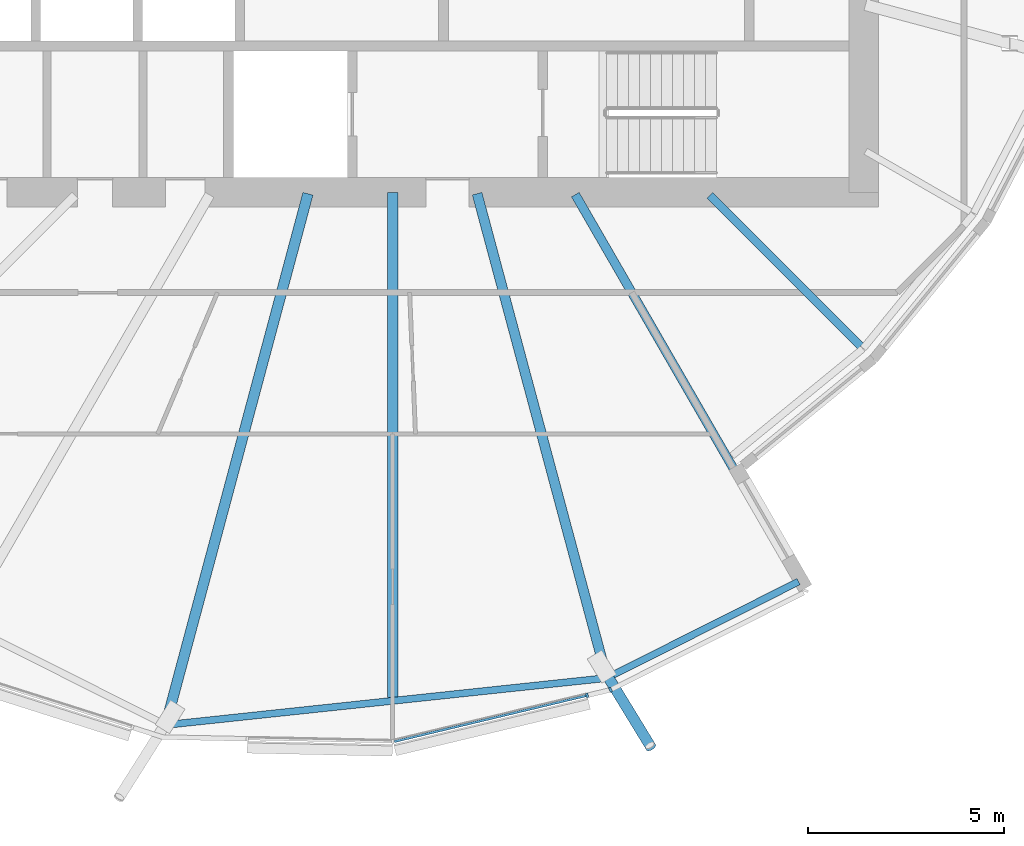
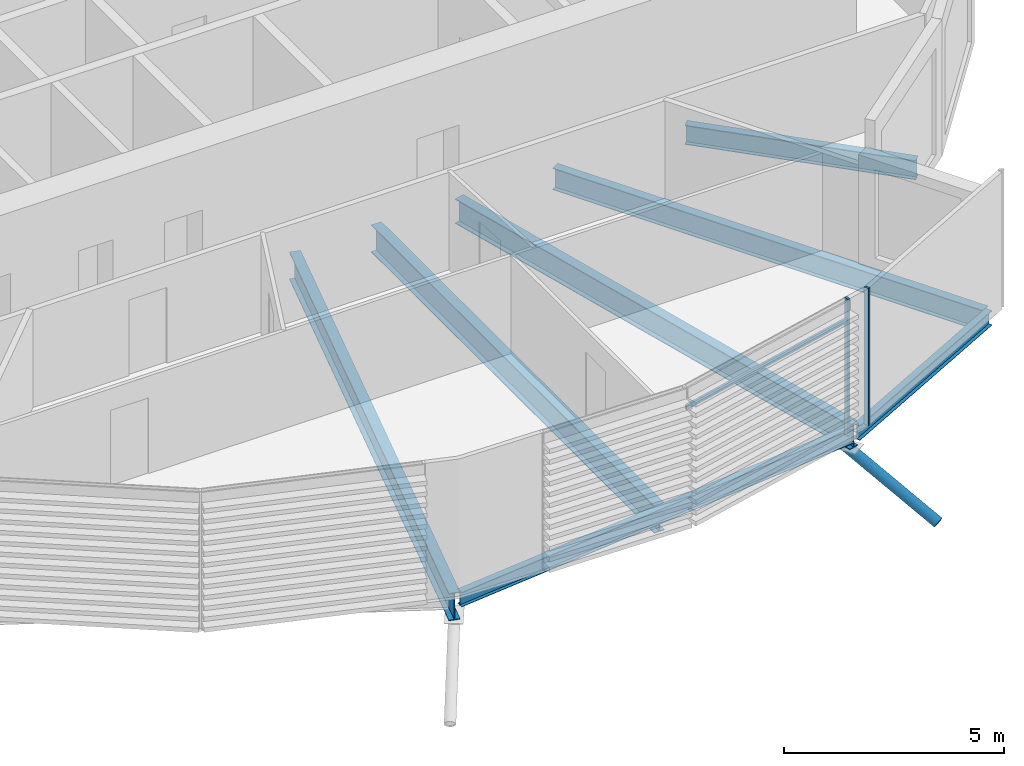
# One storey, part 13 of 38: 7 beams, 4 members, 1 element without a shape of its own.
"""IFC4 building model written with IfcOpenShell, lengths in metres."""

from ifc_helpers import new_model, si_unit, direction, frame, origin, origin_2d, place, context, subcontext, project, spatial, rectangle, hollow_circle, i_section, extrude, clip, halfspace, material, material_profile, profile_set, type_object, element, aggregate, save


model = new_model("IFC4")

# Units and contexts
model_context = context("Model", 3, precision=1e-05, world=origin(), true_north=direction((0.0, 1.0)))
body_context = subcontext(model_context, "Body", "Model", "MODEL_VIEW")
ifc_project = project(units=[si_unit("LENGTHUNIT", "METRE"), si_unit("AREAUNIT", "SQUARE_METRE"), si_unit("VOLUMEUNIT", "CUBIC_METRE"), si_unit("PLANEANGLEUNIT", "RADIAN"), si_unit("MASSUNIT", "GRAM", prefix="KILO")], contexts=[model_context])

# Site, building, storey
site_placement = place(None, origin())
site = spatial("IfcSite", under=ifc_project, at=site_placement, CompositionType="ELEMENT")
building_placement = place(site_placement, origin())
building = spatial("IfcBuilding", under=site, at=building_placement, Name="Rimbun Link Towers", CompositionType="ELEMENT")
storey_placement = place(building_placement, frame((0.0, 0.0, 108.199951171875)))
storey = spatial("IfcBuildingStorey", under=building, at=storey_placement, Name="L26", CompositionType="ELEMENT", Elevation=108.199951171875)

# Curtain wall, members
ifc_material_1 = material(Name="Aluminium 6063-T6 and low-iron glass", Category="aluminium")
curtain_wall_type = type_object("IfcCurtainWallType", Name="CW1-Z2 unitised vision wall (zone 2)", PredefinedType="NOTDEFINED", material=ifc_material_1)
curtain_wall_placement = place(storey_placement, origin())
curtain_wall = element("IfcCurtainWall", 1, at=curtain_wall_placement, inside=storey, type_object=curtain_wall_type, Name="CW1 L26 T2", PredefinedType="NOTDEFINED")
ifc_material_2 = material(Name="Aluminium 6063-T6", Category="aluminium")
ifc_material_profile_1 = material_profile(ifc_material_2, rectangle(XDim=0.1201171875, YDim=0.06005859375, at=origin_2d()), Name="MULLION 60X120")
ifc_profile_set_1 = profile_set([ifc_material_profile_1], Name="Aluminium 6063-T6")
member_type_1 = type_object("IfcMemberType", Name="CW1 mullion 60X120", PredefinedType="MULLION", material=ifc_profile_set_1)
member_1_placement = place(storey_placement, frame((36.70263671875, -20.806884765625, 0.0), z_axis=(0.0, 0.0, 1.0), x_axis=(0.232585526726, -0.972575947038, 0.0)))
member_1 = element("IfcMember", 2, at=member_1_placement, type_object=member_type_1, Name="CW1 mullion", PredefinedType="MULLION", context=body_context, shape_type="SweptSolid", body=[
    extrude(rectangle(XDim=0.1201171875, YDim=0.06005859375, at=origin_2d()), origin(), (0.0, 0.0, 1.0), 3.800048828125),
])
member_2_placement = place(storey_placement, frame((37.299072265625, -20.66259765625, 0.0), z_axis=(0.0, 0.0, 1.0), x_axis=(0.448789312905, -0.893637595797, 0.0)))
member_2 = element("IfcMember", 3, at=member_2_placement, type_object=member_type_1, Name="CW1 mullion", PredefinedType="MULLION", context=body_context, shape_type="SweptSolid", body=[
    extrude(rectangle(XDim=0.1201171875, YDim=0.06005859375, at=origin_2d()), origin(), (0.0, 0.0, 1.0), 3.800048828125),
])
ifc_material_3 = material(Name="Aluminium 6063-T6", Category="aluminium")
ifc_material_profile_2 = material_profile(ifc_material_3, rectangle(XDim=0.06005859375, YDim=0.1201171875, at=origin_2d()), Name="TRANSOM 60X120")
ifc_profile_set_2 = profile_set([ifc_material_profile_2], Name="Aluminium 6063-T6")
member_type_2 = type_object("IfcMemberType", Name="CW1 transom 60X120", PredefinedType="USERDEFINED", material=ifc_profile_set_2)
member_3_placement = place(storey_placement, frame((36.6728515625, -20.81201171875, 3.199951171875), z_axis=(-0.972578652399, -0.232574213741, 0.0), x_axis=(0.232574213741, -0.972578652399, 0.0)))
member_3 = element("IfcMember", 4, at=member_3_placement, type_object=member_type_2, Name="CW1 transom", ObjectType="TRANSOM", PredefinedType="USERDEFINED", context=body_context, shape_type="SweptSolid", body=[
    extrude(rectangle(XDim=0.06005859375, YDim=0.1201171875, at=origin_2d()), origin(), (0.0, 0.0, 1.0), 5.017822265625),
])
aggregate(curtain_wall, [member_1, member_2, member_3])

# Member
ifc_material_4 = material(Name="Steel S355J2H", Category="steel")
ifc_material_profile_3 = material_profile(ifc_material_4, hollow_circle(Radius=0.136474609375, WallThickness=0.012451171875, at=origin_2d()), Name="CHS 273x12.5")
ifc_profile_set_3 = profile_set([ifc_material_profile_3], Name="Steel S355J2H")
member_type_3 = type_object("IfcMemberType", Name="Floor edge link CHS 273x12.5", PredefinedType="BRACE", material=ifc_profile_set_3)
member_4_placement = place(storey_placement, frame((37.16943359375, -20.225341796875, -0.96240234375), z_axis=(0.455289501566, -0.745524577512, -0.486728439779), x_axis=(0.853439108059, 0.521192564063, 0.0)))
element("IfcMember", 5, at=member_4_placement, inside=storey, type_object=member_type_3, Name="Floor edge link T2 L26 16", PredefinedType="BRACE", context=body_context, shape_type="Clipping", body=[
    clip(extrude(hollow_circle(Radius=0.136474609375, WallThickness=0.012451171875, at=origin_2d()), frame((0.0, 0.0, -0.510498046875)), (0.0, 0.0, 1.0), 3.0576171875), halfspace(frame((0.0, 0.0, -0.240234375), z_axis=(0.0, 0.87355333318, -0.486728439779)), False)),
])

# Beams
ifc_material_5 = material(Name="Steel S355J2", Category="steel")
ifc_material_profile_4 = material_profile(ifc_material_5, i_section(OverallWidth=0.177978515625, OverallDepth=0.406494140625, WebThickness=0.0078125, FlangeThickness=0.0126953125, at=origin_2d()), Name="UB 406x178x60")
ifc_profile_set_4 = profile_set([ifc_material_profile_4], Name="Steel S355J2")
beam_type_1 = type_object("IfcBeamType", Name="UB 406x178x60", PredefinedType="BEAM", material=ifc_profile_set_4)
beam_1_placement = place(storey_placement, frame((26.11669921875, -21.54248046875, -0.363037109375), z_axis=(0.994386731761, 0.105806557916, 0.0), x_axis=(-0.105806557916, 0.994386731761, 0.0)))
element("IfcBeam", 6, at=beam_1_placement, inside=storey, type_object=beam_type_1, Name="Edge beam T2 L26 14-16", PredefinedType="BEAM", context=body_context, shape_type="SweptSolid", body=[
    extrude(i_section(OverallWidth=0.177978515625, OverallDepth=0.406494140625, WebThickness=0.0078125, FlangeThickness=0.0126953125, at=origin_2d()), origin(), (0.0, 0.0, 1.0), 11.0224609375),
])
beam_2_placement = place(storey_placement, frame((37.20703125, -20.362060546875, -0.363037109375), z_axis=(0.893405979278, 0.44925021557, 0.0), x_axis=(-0.44925021557, 0.893405979278, 0.0)))
element("IfcBeam", 7, at=beam_2_placement, inside=storey, type_object=beam_type_1, Name="Edge beam T2 L26 16", PredefinedType="BEAM", context=body_context, shape_type="SweptSolid", body=[
    extrude(i_section(OverallWidth=0.177978515625, OverallDepth=0.406494140625, WebThickness=0.0078125, FlangeThickness=0.0126953125, at=origin_2d()), origin(), (0.0, 0.0, 1.0), 5.463134765625),
])
ifc_material_6 = material(Name="Steel S355J2", Category="steel")
ifc_material_profile_5 = material_profile(ifc_material_6, i_section(OverallWidth=0.209228515625, OverallDepth=0.533203125, WebThickness=0.010009765625, FlangeThickness=0.015625, at=origin_2d()), Name="UB 533x210x92")
ifc_profile_set_5 = profile_set([ifc_material_profile_5], Name="Steel S355J2")
beam_type_2 = type_object("IfcBeamType", Name="UB 533x210x92", PredefinedType="BEAM", material=ifc_profile_set_5)
beam_3_placement = place(storey_placement, frame((39.82470703125, -8.07470703125, -0.426513671875), z_axis=(0.707106781187, -0.707106781187, 0.0), x_axis=(0.707106781187, 0.707106781187, 0.0)))
element("IfcBeam", 8, at=beam_3_placement, inside=storey, type_object=beam_type_2, Name="Radial beam T2 L26 18", PredefinedType="BEAM", context=body_context, shape_type="SweptSolid", body=[
    extrude(i_section(OverallWidth=0.209228515625, OverallDepth=0.533203125, WebThickness=0.010009765625, FlangeThickness=0.015625, at=origin_2d()), origin(), (0.0, 0.0, 1.0), 5.427490234375),
])
ifc_material_7 = material(Name="Steel S355J2", Category="steel")
ifc_material_profile_6 = material_profile(ifc_material_7, i_section(OverallWidth=0.2275390625, OverallDepth=0.6025390625, WebThickness=0.010498046875, FlangeThickness=0.014892578125, at=origin_2d()), Name="UB 610x229x101")
ifc_profile_set_6 = profile_set([ifc_material_profile_6], Name="Steel S355J2")
beam_type_3 = type_object("IfcBeamType", Name="UB 610x229x101", PredefinedType="BEAM", material=ifc_profile_set_6)
beam_4_placement = place(storey_placement, frame((36.402099609375, -8.057861328125, -0.461181640625), z_axis=(0.500002155527, -0.866024159287, 0.0), x_axis=(0.866024159287, 0.500002155527, 0.0)))
element("IfcBeam", 9, at=beam_4_placement, inside=storey, type_object=beam_type_3, Name="Radial beam T2 L26 17", PredefinedType="BEAM", context=body_context, shape_type="SweptSolid", body=[
    extrude(i_section(OverallWidth=0.2275390625, OverallDepth=0.6025390625, WebThickness=0.010498046875, FlangeThickness=0.014892578125, at=origin_2d()), origin(), (0.0, 0.0, 1.0), 11.283203125),
])
ifc_material_8 = material(Name="Steel S355J2", Category="steel")
ifc_material_profile_7 = material_profile(ifc_material_8, i_section(OverallWidth=0.253662109375, OverallDepth=0.68359375, WebThickness=0.012451171875, FlangeThickness=0.01904296875, at=origin_2d()), Name="UB 686x254x140")
ifc_profile_set_7 = profile_set([ifc_material_profile_7], Name="Steel S355J2")
beam_type_4 = type_object("IfcBeamType", Name="UB 686x254x140", PredefinedType="BEAM", material=ifc_profile_set_7)
beam_5_placement = place(storey_placement, frame((33.902587890625, -8.03369140625, -0.501708984375), z_axis=(0.258825646503, -0.965924057425, 0.0), x_axis=(0.965924057425, 0.258825646503, 0.0)))
element("IfcBeam", 10, at=beam_5_placement, inside=storey, type_object=beam_type_4, Name="Radial beam T2 L26 16", PredefinedType="BEAM", context=body_context, shape_type="SweptSolid", body=[
    extrude(i_section(OverallWidth=0.253662109375, OverallDepth=0.68359375, WebThickness=0.012451171875, FlangeThickness=0.01904296875, at=origin_2d()), origin(), (0.0, 0.0, 1.0), 12.671875),
])
ifc_material_9 = material(Name="Steel S355J2", Category="steel")
ifc_material_profile_8 = material_profile(ifc_material_9, i_section(OverallWidth=0.2666015625, OverallDepth=0.76220703125, WebThickness=0.014404296875, FlangeThickness=0.021484375, at=origin_2d()), Name="UB 762x267x173")
ifc_profile_set_8 = profile_set([ifc_material_profile_8], Name="Steel S355J2")
beam_type_5 = type_object("IfcBeamType", Name="UB 762x267x173", PredefinedType="BEAM", material=ifc_profile_set_8)
beam_6_placement = place(storey_placement, frame((29.596923828125, -8.035400390625, -0.541015625), z_axis=(-0.25881628113, -0.965926566889, 0.0), x_axis=(0.965926566889, -0.25881628113, 0.0)))
element("IfcBeam", 11, at=beam_6_placement, inside=storey, type_object=beam_type_5, Name="Radial beam T2 L26 14", PredefinedType="BEAM", context=body_context, shape_type="SweptSolid", body=[
    extrude(i_section(OverallWidth=0.2666015625, OverallDepth=0.76220703125, WebThickness=0.014404296875, FlangeThickness=0.021484375, at=origin_2d()), origin(), (0.0, 0.0, 1.0), 13.99951171875),
])
beam_7_placement = place(storey_placement, frame((31.75, -8.0009765625, -0.541015625), z_axis=(0.0, -1.0, 0.0), x_axis=(1.0, 0.0, 0.0)))
element("IfcBeam", 12, at=beam_7_placement, inside=storey, type_object=beam_type_5, Name="Radial beam T2 L26 15", PredefinedType="BEAM", context=body_context, shape_type="SweptSolid", body=[
    extrude(i_section(OverallWidth=0.2666015625, OverallDepth=0.76220703125, WebThickness=0.014404296875, FlangeThickness=0.021484375, at=origin_2d()), origin(), (0.0, 0.0, 1.0), 12.8515625),
])

save(model, "model.ifc")
